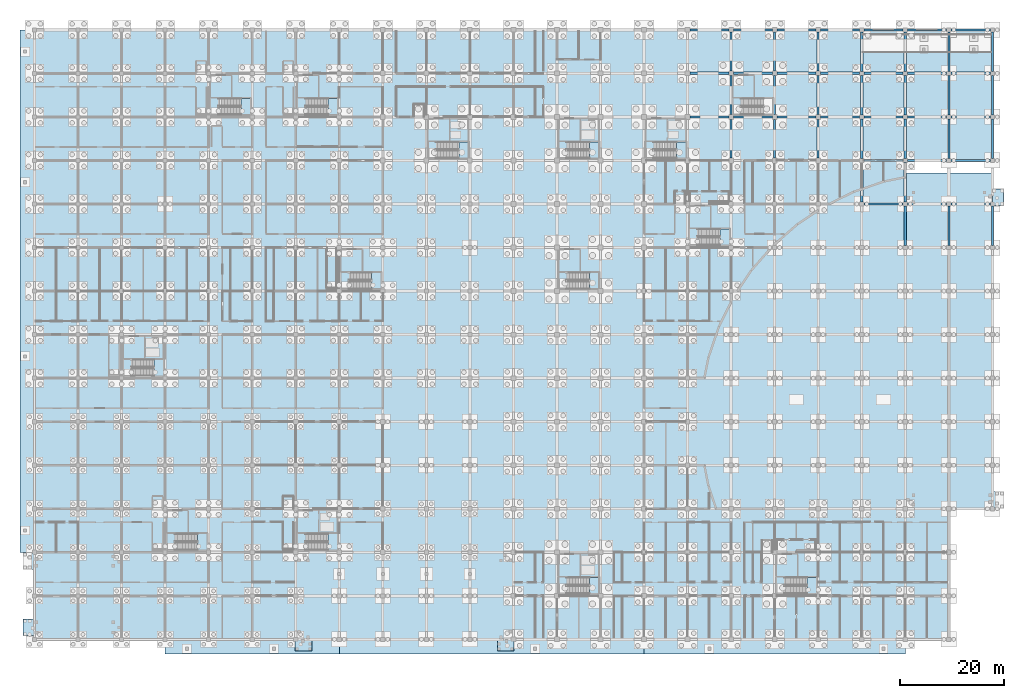
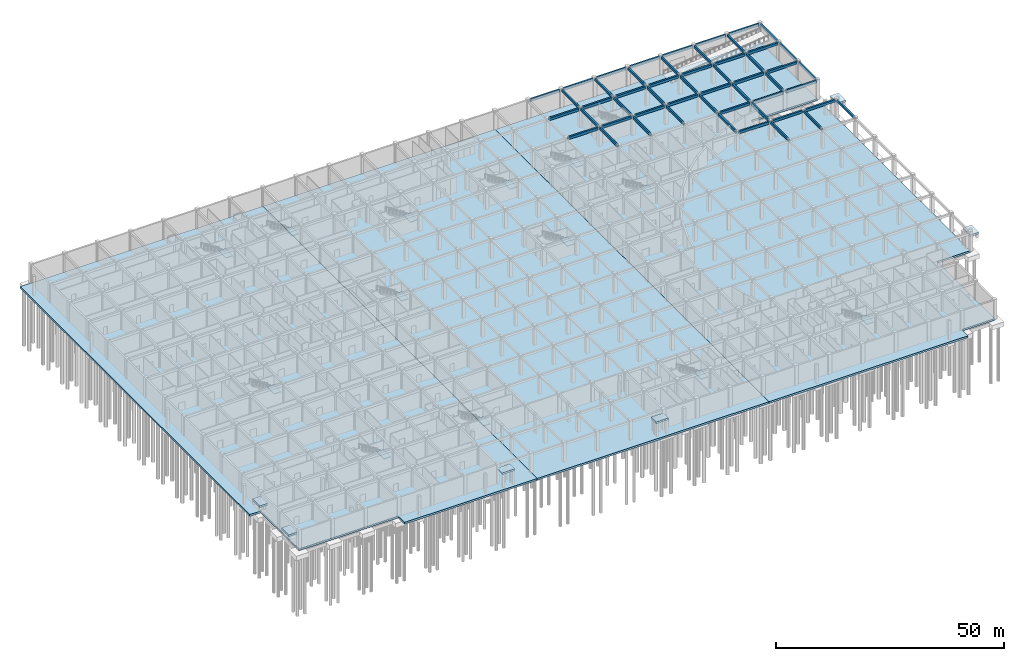
# One storey, part 25 of 65: 53 beams, 22 slabs, 13 elements without a shape of their own.
"""IFC4 building model written with IfcOpenShell, lengths in metres."""

import ifcopenshell
import ifcopenshell.guid

model = None  # the IFC model being written
_history = None  # IfcOwnerHistory: only IFC2X3 demands one
_inside = {}  # id of a spatial element -> (the spatial element, [elements in it])
_under = {}  # id of a project, library or spatial element -> (it, [spatial elements below it])
_declared = {}  # id of a project -> (the project, [libraries it declares])
_typed = {}  # id of a type object -> (the type object, [elements of that type])
_made_of = {}  # id of a material, layer set ... -> (it, [elements and type objects made of it])


def new_model(schema):
    """Start an empty IFC model of exactly this schema.

    Asked for "IFC4X3", IfcOpenShell would pick the latest addendum, in which some entities
    have other attributes; the version numbers below select the first issue.
    IFC2X3 requires an IfcOwnerHistory on every rooted entity: one is made here for all.
    """
    global model, _history
    if schema == "IFC4X3":
        model = ifcopenshell.file(schema_version=(4, 3, 0, 0))
    else:
        model = ifcopenshell.file(schema=schema)
    _inside.clear()
    _under.clear()
    _declared.clear()
    _typed.clear()
    _made_of.clear()
    _history = None
    if model.schema == "IFC2X3":
        org = make("IfcOrganization", Name="unknown")
        user = make(
            "IfcPersonAndOrganization",
            ThePerson=make("IfcPerson", FamilyName="unknown"),
            TheOrganization=org,
        )
        app = make(
            "IfcApplication",
            ApplicationDeveloper=org,
            Version="unknown",
            ApplicationFullName="unknown",
            ApplicationIdentifier="unknown",
        )
        _history = make(
            "IfcOwnerHistory",
            OwningUser=user,
            OwningApplication=app,
            ChangeAction="ADDED",
            CreationDate=0,
        )
    return model


def make(cls, **values):
    """One entity of the class cls with the attributes given. An attribute that is None is left unset."""
    return model.create_entity(
        cls, **{name: value for name, value in values.items() if value is not None}
    )


def rooted(cls, **values):
    """An entity with a GlobalId (a new one), such as an element, a storey or a relation."""
    return make(cls, GlobalId=ifcopenshell.guid.new(), OwnerHistory=_history, **values)


def si_unit(unit_type, name, prefix=None):
    """IfcSIUnit, for example si_unit("LENGTHUNIT", "METRE", prefix="MILLI")."""
    return make("IfcSIUnit", UnitType=unit_type, Prefix=prefix, Name=name)


def assignment(units):
    """IfcUnitAssignment: the units of a project."""
    return None if units is None else make("IfcUnitAssignment", Units=units)


def point(xyz):
    """IfcCartesianPoint."""
    return None if xyz is None else make("IfcCartesianPoint", Coordinates=xyz)


def direction(xyz):
    """IfcDirection."""
    return None if xyz is None else make("IfcDirection", DirectionRatios=xyz)


def frame(location, z_axis=None, x_axis=None):
    """IfcAxis2Placement3D, a coordinate frame: its origin and axes. An axis left out is left unset."""
    return make(
        "IfcAxis2Placement3D",
        Location=point(location),
        Axis=direction(z_axis),
        RefDirection=direction(x_axis),
    )


def frame_2d(location, x_axis=None):
    """IfcAxis2Placement2D, a coordinate frame in the plane: its origin and x axis."""
    return make(
        "IfcAxis2Placement2D", Location=point(location), RefDirection=direction(x_axis)
    )


def origin():
    """The frame at (0, 0, 0) with its axes left unset."""
    return frame((0.0, 0.0, 0.0))


def origin_2d():
    """The frame at (0, 0) in the plane with its x axis left unset."""
    return frame_2d((0.0, 0.0))


def place(relative_to, where):
    """IfcLocalPlacement: puts the frame where relative to a parent placement (None: the world)."""
    return make(
        "IfcLocalPlacement", PlacementRelTo=relative_to, RelativePlacement=where
    )


def context(
    kind, dimensions, precision=None, world=None, true_north=None, identifier=None
):
    """IfcGeometricRepresentationContext, for example the 3D "Model" context."""
    return make(
        "IfcGeometricRepresentationContext",
        ContextIdentifier=identifier,
        ContextType=kind,
        CoordinateSpaceDimension=dimensions,
        Precision=precision,
        WorldCoordinateSystem=world,
        TrueNorth=true_north,
    )


def subcontext(parent, identifier, kind, view, scale=None):
    """IfcGeometricRepresentationSubContext, for example "Body" below "Model"."""
    return make(
        "IfcGeometricRepresentationSubContext",
        ContextIdentifier=identifier,
        ContextType=kind,
        ParentContext=parent,
        TargetScale=scale,
        TargetView=view,
    )


def project(units=None, contexts=None):
    """IfcProject with its units and contexts."""
    return rooted(
        "IfcProject",
        Name="project",
        RepresentationContexts=contexts,
        UnitsInContext=assignment(units),
    )


def spatial(cls, under=None, at=None, **own):
    """A site, building, storey or space (cls), placed at a placement, below another one or the project."""
    s = rooted(cls, ObjectPlacement=at, **own)
    if under is not None:
        _under.setdefault(under.id(), (under, []))[1].append(s)
    return s


def polyline(points):
    """IfcPolyline through the points."""
    return make("IfcPolyline", Points=[point(p) for p in points])


def profile(cls, at=None, kind="AREA", **sizes):
    """A parametric profile (cls). Its sizes go by their IFC names, for example OverallWidth=200.0."""
    return make(cls, ProfileType=kind, Position=at, **sizes)


def rectangle(**sizes):
    """IfcRectangleProfileDef."""
    return profile("IfcRectangleProfileDef", **sizes)


def outline(outer, holes=None, kind="AREA"):
    """IfcArbitraryClosedProfileDef: a profile drawn as a closed curve; with holes, ...WithVoids."""
    if holes is None:
        return make("IfcArbitraryClosedProfileDef", ProfileType=kind, OuterCurve=outer)
    return make(
        "IfcArbitraryProfileDefWithVoids",
        ProfileType=kind,
        OuterCurve=outer,
        InnerCurves=holes,
    )


def extrude(swept, where, along, depth):
    """IfcExtrudedAreaSolid: the profile swept, set in the frame where, extruded along a direction by depth."""
    return make(
        "IfcExtrudedAreaSolid",
        SweptArea=swept,
        Position=where,
        ExtrudedDirection=direction(along),
        Depth=depth,
    )


def shape(context_of_items, identifier, shape_type, items):
    """IfcShapeRepresentation: the items that make up one representation, for example the "Body"."""
    return make(
        "IfcShapeRepresentation",
        ContextOfItems=context_of_items,
        RepresentationIdentifier=identifier,
        RepresentationType=shape_type,
        Items=items,
    )


def material(Name=None, Category=None):
    """IfcMaterial."""
    return make("IfcMaterial", Name=Name, Category=Category)


def layer(
    of_material, thickness, ventilated=None, Name=None, Category=None, Priority=None
):
    """IfcMaterialLayer: one layer of a wall or slab, of a material (None: an air gap)."""
    return make(
        "IfcMaterialLayer",
        Material=of_material,
        LayerThickness=thickness,
        IsVentilated=ventilated,
        Name=Name,
        Category=Category,
        Priority=Priority,
    )


def layer_set(layers, Name=None):
    """IfcMaterialLayerSet."""
    return make("IfcMaterialLayerSet", MaterialLayers=layers, LayerSetName=Name)


def material_profile(
    of_material, cross_section, Name=None, Category=None, Priority=None
):
    """IfcMaterialProfile: a cross section and its material."""
    return make(
        "IfcMaterialProfile",
        Name=Name,
        Material=of_material,
        Profile=cross_section,
        Priority=Priority,
        Category=Category,
    )


def profile_set(profiles, Name=None, composite=None):
    """IfcMaterialProfileSet."""
    return make(
        "IfcMaterialProfileSet",
        Name=Name,
        MaterialProfiles=profiles,
        CompositeProfile=composite,
    )


def made_of(thing, what):
    """Note that an element or type object is made of a material, layer set ...; save() writes the relation."""
    if what is not None:
        _made_of.setdefault(what.id(), (what, []))[1].append(thing)
    return thing


def type_object(cls, material=None, **own):
    """A type object (cls), such as IfcWallType, which elements share."""
    return made_of(rooted(cls, **own), material)


def element(
    cls,
    number,
    at=None,
    inside=None,
    cuts=None,
    type_object=None,
    material=None,
    context=None,
    identifier="Body",
    shape_type=None,
    held_by="IfcProductDefinitionShape",
    body=None,
    shapes=None,
    **own,
):
    """One element of the class cls, such as IfcWall. Its Tag is "e" and its number.

    at: its placement. inside: the storey or other place that contains it. cuts: it is an
    opening in that element (IfcRelVoidsElement). A single representation is given by context,
    identifier, shape_type and body (its items); several are given by shapes. held_by: the class
    of the entity that holds the representations. save() writes the other relations.
    """
    e = rooted(cls, Tag="e%d" % number, ObjectPlacement=at, **own)
    if body is not None:
        shapes = [shape(context, identifier, shape_type, body)]
    if shapes is not None:
        e.Representation = make(held_by, Representations=shapes)
    if inside is not None:
        _inside.setdefault(inside.id(), (inside, []))[1].append(e)
    if cuts is not None:
        rooted(
            "IfcRelVoidsElement", RelatingBuildingElement=cuts, RelatedOpeningElement=e
        )
    if type_object is not None:
        _typed.setdefault(type_object.id(), (type_object, []))[1].append(e)
    return made_of(e, material)


def aggregate(whole, parts):
    """IfcRelAggregates: a whole, such as a stair, and the parts it consists of."""
    return rooted("IfcRelAggregates", RelatingObject=whole, RelatedObjects=parts)


def save(model, path):
    """Write the relations noted so far, then the file.

    IfcRelAggregates (storeys below a building ...), IfcRelContainedInSpatialStructure (elements
    in a storey), IfcRelDefinesByType, IfcRelAssociatesMaterial and IfcRelDeclares: one each for
    every whole, place, type object, material and project.
    """
    for whole, parts in _under.values():
        aggregate(whole, parts)
    for where, things in _inside.values():
        rooted(
            "IfcRelContainedInSpatialStructure",
            RelatedElements=things,
            RelatingStructure=where,
        )
    for kind, things in _typed.values():
        rooted("IfcRelDefinesByType", RelatedObjects=things, RelatingType=kind)
    for what, things in _made_of.values():
        rooted("IfcRelAssociatesMaterial", RelatedObjects=things, RelatingMaterial=what)
    for by, libraries in _declared.values():
        rooted("IfcRelDeclares", RelatingContext=by, RelatedDefinitions=libraries)
    model.write(path)


model = new_model("IFC4")

# Units and contexts
model_context = context("Model", 3, precision=1e-05, world=origin(), true_north=direction((0.0, 1.0)))
body_context = subcontext(model_context, "Body", "Model", "MODEL_VIEW")
ifc_project = project(units=[si_unit("LENGTHUNIT", "METRE"), si_unit("AREAUNIT", "SQUARE_METRE"), si_unit("VOLUMEUNIT", "CUBIC_METRE"), si_unit("PLANEANGLEUNIT", "RADIAN"), si_unit("MASSUNIT", "GRAM", prefix="KILO")], contexts=[model_context])

# Site, building, storey
site_placement = place(None, origin())
site = spatial("IfcSite", under=ifc_project, at=site_placement, CompositionType="ELEMENT")
building_placement = place(site_placement, origin())
building = spatial("IfcBuilding", under=site, at=building_placement, Name="Bramfleet General Hospital", CompositionType="ELEMENT")
storey_placement = place(building_placement, frame((0.0, 0.0, -5.39990234375)))
storey = spatial("IfcBuildingStorey", under=building, at=storey_placement, Name="B1", CompositionType="ELEMENT", Elevation=-5.39990234375)

# Beams
ifc_material = material(Name="Concrete C35/45", Category="concrete")
ifc_material_profile_1 = material_profile(ifc_material, rectangle(XDim=0.39990234375, YDim=0.60009765625, at=origin_2d()), Name="RC BM 600x400")
ifc_profile_set_1 = profile_set([ifc_material_profile_1], Name="Concrete C35/45")
beam_type_1 = type_object("IfcBeamType", Name="BM-RC600", PredefinedType="BEAM", material=ifc_profile_set_1)
for number, where, z_axis, x_axis, name in (
    (1, (134.39990234375, 92.85009765625, 4.77978515625), (0.0, 1.0, 0.0), (-1.0, 0.0, 0.0), "B1 Grid Beam Y 16-11"),
    (2, (134.39990234375, 101.25, 4.77978515625), (0.0, 1.0, 0.0), (-1.0, 0.0, 0.0), "B1 Grid Beam Y 16-12"),
    (3, (134.39990234375, 109.64990234375, 4.77978515625), (0.0, 1.0, 0.0), (-1.0, 0.0, 0.0), "B1 Grid Beam Y 16-13"),
    (4, (142.800048828125, 92.85009765625, 4.77978515625), (0.0, 1.0, 0.0), (-1.0, 0.0, 0.0), "B1 Grid Beam Y 17-11"),
    (5, (142.800048828125, 101.25, 4.77978515625), (0.0, 1.0, 0.0), (-1.0, 0.0, 0.0), "B1 Grid Beam Y 17-12"),
    (6, (142.800048828125, 109.64990234375, 4.77978515625), (0.0, 1.0, 0.0), (-1.0, 0.0, 0.0), "B1 Grid Beam Y 17-13"),
    (7, (151.199951171875, 92.85009765625, 4.77978515625), (0.0, 1.0, 0.0), (-1.0, 0.0, 0.0), "B1 Grid Beam Y 18-11"),
    (8, (151.199951171875, 101.25, 4.77978515625), (0.0, 1.0, 0.0), (-1.0, 0.0, 0.0), "B1 Grid Beam Y 18-12"),
    (9, (151.199951171875, 109.64990234375, 4.77978515625), (0.0, 1.0, 0.0), (-1.0, 0.0, 0.0), "B1 Grid Beam Y 18-13"),
):
    element("IfcBeam", number, at=place(storey_placement, frame(where, z_axis=z_axis, x_axis=x_axis)), inside=storey, type_object=beam_type_1, Name=name, PredefinedType="BEAM", context=body_context, shape_type="SweptSolid", body=[
        extrude(rectangle(XDim=0.39990234375, YDim=0.60009765625, at=origin_2d()), origin(), (0.0, 0.0, 1.0), 7.5),
    ])
beam_1_placement = place(storey_placement, frame((159.60009765625, 84.39990234375, 4.77978515625), z_axis=(0.0, 1.0, 0.0), x_axis=(-1.0, 0.0, 0.0)))
element("IfcBeam", 10, at=beam_1_placement, inside=storey, type_object=beam_type_1, Name="B1 Grid Beam Y 19-10", PredefinedType="BEAM", context=body_context, shape_type="SweptSolid", body=[
    extrude(rectangle(XDim=0.39990234375, YDim=0.60009765625, at=origin_2d()), origin(), (0.0, 0.0, 1.0), 7.60009765625),
])
beam_2_placement = place(storey_placement, frame((159.60009765625, 92.800048828125, 4.77978515625), z_axis=(0.0, 1.0, 0.0), x_axis=(-1.0, 0.0, 0.0)))
element("IfcBeam", 11, at=beam_2_placement, inside=storey, type_object=beam_type_1, Name="B1 Grid Beam Y 19-11", PredefinedType="BEAM", context=body_context, shape_type="SweptSolid", body=[
    extrude(rectangle(XDim=0.39990234375, YDim=0.60009765625, at=origin_2d()), origin(), (0.0, 0.0, 1.0), 7.599853515625),
])
beam_3_placement = place(storey_placement, frame((159.60009765625, 101.199951171875, 4.77978515625), z_axis=(0.0, 1.0, 0.0), x_axis=(-1.0, 0.0, 0.0)))
element("IfcBeam", 12, at=beam_3_placement, inside=storey, type_object=beam_type_1, Name="B1 Grid Beam Y 19-12", PredefinedType="BEAM", context=body_context, shape_type="SweptSolid", body=[
    extrude(rectangle(XDim=0.39990234375, YDim=0.60009765625, at=origin_2d()), origin(), (0.0, 0.0, 1.0), 7.60009765625),
])
beam_4_placement = place(storey_placement, frame((159.60009765625, 109.60009765625, 4.77978515625), z_axis=(0.0, 1.0, 0.0), x_axis=(-1.0, 0.0, 0.0)))
element("IfcBeam", 13, at=beam_4_placement, inside=storey, type_object=beam_type_1, Name="B1 Grid Beam Y 19-13", PredefinedType="BEAM", context=body_context, shape_type="SweptSolid", body=[
    extrude(rectangle(XDim=0.39990234375, YDim=0.60009765625, at=origin_2d()), origin(), (0.0, 0.0, 1.0), 7.599853515625),
])
beam_5_placement = place(storey_placement, frame((168.0, 76.0, 4.77978515625), z_axis=(0.0, 1.0, 0.0), x_axis=(-1.0, 0.0, 0.0)))
element("IfcBeam", 14, at=beam_5_placement, inside=storey, type_object=beam_type_1, Name="B1 Grid Beam Y 20-09", PredefinedType="BEAM", context=body_context, shape_type="SweptSolid", body=[
    extrude(rectangle(XDim=0.39990234375, YDim=0.60009765625, at=origin_2d()), origin(), (0.0, 0.0, 1.0), 7.60009765625),
])
beam_6_placement = place(storey_placement, frame((168.0, 92.800048828125, 4.77978515625), z_axis=(0.0, 1.0, 0.0), x_axis=(-1.0, 0.0, 0.0)))
element("IfcBeam", 15, at=beam_6_placement, inside=storey, type_object=beam_type_1, Name="B1 Grid Beam Y 20-11", PredefinedType="BEAM", context=body_context, shape_type="SweptSolid", body=[
    extrude(rectangle(XDim=0.39990234375, YDim=0.60009765625, at=origin_2d()), origin(), (0.0, 0.0, 1.0), 7.599853515625),
])
beam_7_placement = place(storey_placement, frame((168.0, 101.199951171875, 4.77978515625), z_axis=(0.0, 1.0, 0.0), x_axis=(-1.0, 0.0, 0.0)))
element("IfcBeam", 16, at=beam_7_placement, inside=storey, type_object=beam_type_1, Name="B1 Grid Beam Y 20-12", PredefinedType="BEAM", context=body_context, shape_type="SweptSolid", body=[
    extrude(rectangle(XDim=0.39990234375, YDim=0.60009765625, at=origin_2d()), origin(), (0.0, 0.0, 1.0), 7.60009765625),
])
beam_8_placement = place(storey_placement, frame((168.0, 109.60009765625, 4.77978515625), z_axis=(0.0, 1.0, 0.0), x_axis=(-1.0, 0.0, 0.0)))
element("IfcBeam", 17, at=beam_8_placement, inside=storey, type_object=beam_type_1, Name="B1 Grid Beam Y 20-13", PredefinedType="BEAM", context=body_context, shape_type="SweptSolid", body=[
    extrude(rectangle(XDim=0.39990234375, YDim=0.60009765625, at=origin_2d()), origin(), (0.0, 0.0, 1.0), 7.599853515625),
])
beam_9_placement = place(storey_placement, frame((176.39990234375, 76.0, 4.77978515625), z_axis=(0.0, 1.0, 0.0), x_axis=(-1.0, 0.0, 0.0)))
element("IfcBeam", 18, at=beam_9_placement, inside=storey, type_object=beam_type_1, Name="B1 Grid Beam Y 21-09", PredefinedType="BEAM", context=body_context, shape_type="SweptSolid", body=[
    extrude(rectangle(XDim=0.39990234375, YDim=0.60009765625, at=origin_2d()), origin(), (0.0, 0.0, 1.0), 7.60009765625),
])
beam_10_placement = place(storey_placement, frame((176.39990234375, 92.800048828125, 4.77978515625), z_axis=(0.0, 1.0, 0.0), x_axis=(-1.0, 0.0, 0.0)))
element("IfcBeam", 19, at=beam_10_placement, inside=storey, type_object=beam_type_1, Name="B1 Grid Beam Y 21-11", PredefinedType="BEAM", context=body_context, shape_type="SweptSolid", body=[
    extrude(rectangle(XDim=0.39990234375, YDim=0.60009765625, at=origin_2d()), origin(), (0.0, 0.0, 1.0), 7.599853515625),
])
beam_11_placement = place(storey_placement, frame((176.39990234375, 101.199951171875, 4.77978515625), z_axis=(0.0, 1.0, 0.0), x_axis=(-1.0, 0.0, 0.0)))
element("IfcBeam", 20, at=beam_11_placement, inside=storey, type_object=beam_type_1, Name="B1 Grid Beam Y 21-12", PredefinedType="BEAM", context=body_context, shape_type="SweptSolid", body=[
    extrude(rectangle(XDim=0.39990234375, YDim=0.60009765625, at=origin_2d()), origin(), (0.0, 0.0, 1.0), 7.60009765625),
])
beam_12_placement = place(storey_placement, frame((176.39990234375, 109.60009765625, 4.77978515625), z_axis=(0.0, 1.0, 0.0), x_axis=(-1.0, 0.0, 0.0)))
element("IfcBeam", 21, at=beam_12_placement, inside=storey, type_object=beam_type_1, Name="B1 Grid Beam Y 21-13", PredefinedType="BEAM", context=body_context, shape_type="SweptSolid", body=[
    extrude(rectangle(XDim=0.39990234375, YDim=0.60009765625, at=origin_2d()), origin(), (0.0, 0.0, 1.0), 7.599853515625),
])
beam_13_placement = place(storey_placement, frame((184.800048828125, 76.0, 4.77978515625), z_axis=(0.0, 1.0, 0.0), x_axis=(-1.0, 0.0, 0.0)))
element("IfcBeam", 22, at=beam_13_placement, inside=storey, type_object=beam_type_1, Name="B1 Grid Beam Y 22-09", PredefinedType="BEAM", context=body_context, shape_type="SweptSolid", body=[
    extrude(rectangle(XDim=0.39990234375, YDim=0.60009765625, at=origin_2d()), origin(), (0.0, 0.0, 1.0), 7.60009765625),
])
ifc_material_profile_2 = material_profile(ifc_material, rectangle(XDim=0.449951171875, YDim=0.64990234375, at=origin_2d()), Name="RC BM 650x450")
ifc_profile_set_2 = profile_set([ifc_material_profile_2], Name="Concrete C35/45")
beam_type_2 = type_object("IfcBeamType", Name="BM-RC650", PredefinedType="BEAM", material=ifc_profile_set_2)
for number, where, z_axis, x_axis, name in (
    (23, (126.449951171875, 100.800048828125, 4.7548828125), (1.0, 0.0, 0.0), (0.0, 1.0, 0.0), "B1 Grid Beam X 15-12"),
    (24, (126.449951171875, 109.199951171875, 4.7548828125), (1.0, 0.0, 0.0), (0.0, 1.0, 0.0), "B1 Grid Beam X 15-13"),
    (25, (134.85009765625, 100.800048828125, 4.7548828125), (1.0, 0.0, 0.0), (0.0, 1.0, 0.0), "B1 Grid Beam X 16-12"),
    (26, (134.85009765625, 109.199951171875, 4.7548828125), (1.0, 0.0, 0.0), (0.0, 1.0, 0.0), "B1 Grid Beam X 16-13"),
    (27, (143.25, 100.800048828125, 4.7548828125), (1.0, 0.0, 0.0), (0.0, 1.0, 0.0), "B1 Grid Beam X 17-12"),
    (28, (143.25, 109.199951171875, 4.7548828125), (1.0, 0.0, 0.0), (0.0, 1.0, 0.0), "B1 Grid Beam X 17-13"),
):
    element("IfcBeam", number, at=place(storey_placement, frame(where, z_axis=z_axis, x_axis=x_axis)), inside=storey, type_object=beam_type_2, Name=name, PredefinedType="BEAM", context=body_context, shape_type="SweptSolid", body=[
        extrude(rectangle(XDim=0.449951171875, YDim=0.64990234375, at=origin_2d()), origin(), (0.0, 0.0, 1.0), 7.5),
    ])
for number, where, z_axis, x_axis, name in (
    (29, (151.64990234375, 100.800048828125, 4.7548828125), (1.0, 0.0, 0.0), (0.0, 1.0, 0.0), "B1 Grid Beam X 18-12"),
    (30, (151.64990234375, 109.199951171875, 4.7548828125), (1.0, 0.0, 0.0), (0.0, 1.0, 0.0), "B1 Grid Beam X 18-13"),
):
    element("IfcBeam", number, at=place(storey_placement, frame(where, z_axis=z_axis, x_axis=x_axis)), inside=storey, type_object=beam_type_2, Name=name, PredefinedType="BEAM", context=body_context, shape_type="SweptSolid", body=[
        extrude(rectangle(XDim=0.449951171875, YDim=0.64990234375, at=origin_2d()), origin(), (0.0, 0.0, 1.0), 7.550048828125),
    ])
for number, where, z_axis, x_axis, name in (
    (31, (160.0, 92.39990234375, 4.7548828125), (1.0, 0.0, 0.0), (0.0, 1.0, 0.0), "B1 Grid Beam X 19-11"),
    (32, (160.0, 100.800048828125, 4.7548828125), (1.0, 0.0, 0.0), (0.0, 1.0, 0.0), "B1 Grid Beam X 19-12"),
    (33, (160.0, 109.199951171875, 4.7548828125), (1.0, 0.0, 0.0), (0.0, 1.0, 0.0), "B1 Grid Beam X 19-13"),
    (34, (168.39990234375, 84.0, 4.7548828125), (1.0, 0.0, 0.0), (0.0, 1.0, 0.0), "B1 Grid Beam X 20-10"),
    (35, (168.39990234375, 100.800048828125, 4.7548828125), (1.0, 0.0, 0.0), (0.0, 1.0, 0.0), "B1 Grid Beam X 20-12"),
    (36, (168.39990234375, 109.199951171875, 4.7548828125), (1.0, 0.0, 0.0), (0.0, 1.0, 0.0), "B1 Grid Beam X 20-13"),
):
    element("IfcBeam", number, at=place(storey_placement, frame(where, z_axis=z_axis, x_axis=x_axis)), inside=storey, type_object=beam_type_2, Name=name, PredefinedType="BEAM", context=body_context, shape_type="SweptSolid", body=[
        extrude(rectangle(XDim=0.449951171875, YDim=0.64990234375, at=origin_2d()), origin(), (0.0, 0.0, 1.0), 7.60009765625),
    ])
for number, where, z_axis, x_axis, name in (
    (37, (176.800048828125, 84.0, 4.7548828125), (1.0, 0.0, 0.0), (0.0, 1.0, 0.0), "B1 Grid Beam X 21-10"),
    (38, (176.800048828125, 100.800048828125, 4.7548828125), (1.0, 0.0, 0.0), (0.0, 1.0, 0.0), "B1 Grid Beam X 21-12"),
    (39, (176.800048828125, 109.199951171875, 4.7548828125), (1.0, 0.0, 0.0), (0.0, 1.0, 0.0), "B1 Grid Beam X 21-13"),
):
    element("IfcBeam", number, at=place(storey_placement, frame(where, z_axis=z_axis, x_axis=x_axis)), inside=storey, type_object=beam_type_2, Name=name, PredefinedType="BEAM", context=body_context, shape_type="SweptSolid", body=[
        extrude(rectangle(XDim=0.449951171875, YDim=0.64990234375, at=origin_2d()), origin(), (0.0, 0.0, 1.0), 7.599853515625),
    ])
ifc_material_profile_3 = material_profile(ifc_material, rectangle(XDim=0.39990234375, YDim=0.699951171875, at=origin_2d()), Name="RC SP 700x400")
ifc_profile_set_3 = profile_set([ifc_material_profile_3], Name="Concrete C35/45")
beam_type_3 = type_object("IfcBeamType", Name="BM-SP700", PredefinedType="SPANDREL", material=ifc_profile_set_3)
for number, where, z_axis, x_axis, name in (
    (40, (126.449951171875, 117.60009765625, 4.72998046875), (1.0, 0.0, 0.0), (0.0, 1.0, 0.0), "B1 Grid Beam X 15-14"),
    (41, (134.85009765625, 117.60009765625, 4.72998046875), (1.0, 0.0, 0.0), (0.0, 1.0, 0.0), "B1 Grid Beam X 16-14"),
    (42, (143.25, 117.60009765625, 4.72998046875), (1.0, 0.0, 0.0), (0.0, 1.0, 0.0), "B1 Grid Beam X 17-14"),
):
    element("IfcBeam", number, at=place(storey_placement, frame(where, z_axis=z_axis, x_axis=x_axis)), inside=storey, type_object=beam_type_3, Name=name, PredefinedType="SPANDREL", context=body_context, shape_type="SweptSolid", body=[
        extrude(rectangle(XDim=0.39990234375, YDim=0.699951171875, at=origin_2d()), origin(), (0.0, 0.0, 1.0), 7.5),
    ])
beam_14_placement = place(storey_placement, frame((151.64990234375, 117.60009765625, 4.72998046875), z_axis=(1.0, 0.0, 0.0), x_axis=(0.0, 1.0, 0.0)))
element("IfcBeam", 43, at=beam_14_placement, inside=storey, type_object=beam_type_3, Name="B1 Grid Beam X 18-14", PredefinedType="SPANDREL", context=body_context, shape_type="SweptSolid", body=[
    extrude(rectangle(XDim=0.39990234375, YDim=0.699951171875, at=origin_2d()), origin(), (0.0, 0.0, 1.0), 7.550048828125),
])
for number, where, z_axis, x_axis, name in (
    (44, (160.0, 84.0, 4.72998046875), (1.0, 0.0, 0.0), (0.0, 1.0, 0.0), "B1 Grid Beam X 19-10"),
    (45, (160.0, 117.60009765625, 4.72998046875), (1.0, 0.0, 0.0), (0.0, 1.0, 0.0), "B1 Grid Beam X 19-14"),
    (46, (168.39990234375, 92.39990234375, 4.72998046875), (1.0, 0.0, 0.0), (0.0, 1.0, 0.0), "B1 Grid Beam X 20-11"),
    (47, (168.39990234375, 117.60009765625, 4.72998046875), (1.0, 0.0, 0.0), (0.0, 1.0, 0.0), "B1 Grid Beam X 20-14"),
):
    element("IfcBeam", number, at=place(storey_placement, frame(where, z_axis=z_axis, x_axis=x_axis)), inside=storey, type_object=beam_type_3, Name=name, PredefinedType="SPANDREL", context=body_context, shape_type="SweptSolid", body=[
        extrude(rectangle(XDim=0.39990234375, YDim=0.699951171875, at=origin_2d()), origin(), (0.0, 0.0, 1.0), 7.60009765625),
    ])
for number, where, z_axis, x_axis, name in (
    (48, (176.800048828125, 92.39990234375, 4.72998046875), (1.0, 0.0, 0.0), (0.0, 1.0, 0.0), "B1 Grid Beam X 21-11"),
    (49, (176.800048828125, 117.60009765625, 4.72998046875), (1.0, 0.0, 0.0), (0.0, 1.0, 0.0), "B1 Grid Beam X 21-14"),
):
    element("IfcBeam", number, at=place(storey_placement, frame(where, z_axis=z_axis, x_axis=x_axis)), inside=storey, type_object=beam_type_3, Name=name, PredefinedType="SPANDREL", context=body_context, shape_type="SweptSolid", body=[
        extrude(rectangle(XDim=0.39990234375, YDim=0.699951171875, at=origin_2d()), origin(), (0.0, 0.0, 1.0), 7.599853515625),
    ])
beam_15_placement = place(storey_placement, frame((168.0, 84.39990234375, 4.72998046875), z_axis=(0.0, 1.0, 0.0), x_axis=(-1.0, 0.0, 0.0)))
element("IfcBeam", 50, at=beam_15_placement, inside=storey, type_object=beam_type_3, Name="B1 Grid Beam Y 20-10", PredefinedType="SPANDREL", context=body_context, shape_type="SweptSolid", body=[
    extrude(rectangle(XDim=0.39990234375, YDim=0.699951171875, at=origin_2d()), origin(), (0.0, 0.0, 1.0), 7.60009765625),
])
beam_16_placement = place(storey_placement, frame((184.800048828125, 92.800048828125, 4.72998046875), z_axis=(0.0, 1.0, 0.0), x_axis=(-1.0, 0.0, 0.0)))
element("IfcBeam", 51, at=beam_16_placement, inside=storey, type_object=beam_type_3, Name="B1 Grid Beam Y 22-11", PredefinedType="SPANDREL", context=body_context, shape_type="SweptSolid", body=[
    extrude(rectangle(XDim=0.39990234375, YDim=0.699951171875, at=origin_2d()), origin(), (0.0, 0.0, 1.0), 7.599853515625),
])
beam_17_placement = place(storey_placement, frame((184.800048828125, 101.199951171875, 4.72998046875), z_axis=(0.0, 1.0, 0.0), x_axis=(-1.0, 0.0, 0.0)))
element("IfcBeam", 52, at=beam_17_placement, inside=storey, type_object=beam_type_3, Name="B1 Grid Beam Y 22-12", PredefinedType="SPANDREL", context=body_context, shape_type="SweptSolid", body=[
    extrude(rectangle(XDim=0.39990234375, YDim=0.699951171875, at=origin_2d()), origin(), (0.0, 0.0, 1.0), 7.60009765625),
])
beam_18_placement = place(storey_placement, frame((184.800048828125, 109.60009765625, 4.72998046875), z_axis=(0.0, 1.0, 0.0), x_axis=(-1.0, 0.0, 0.0)))
element("IfcBeam", 53, at=beam_18_placement, inside=storey, type_object=beam_type_3, Name="B1 Grid Beam Y 22-13", PredefinedType="SPANDREL", context=body_context, shape_type="SweptSolid", body=[
    extrude(rectangle(XDim=0.39990234375, YDim=0.699951171875, at=origin_2d()), origin(), (0.0, 0.0, 1.0), 7.599853515625),
])

# Slabs
ifc_layer_1 = layer(ifc_material, 0.5, Name="SL-BASE-500")
ifc_layer_set_1 = layer_set([ifc_layer_1], Name="Concrete C35/45")
slab_type_1 = type_object("IfcSlabType", Name="SL-BASE-500", PredefinedType="BASESLAB", material=ifc_layer_set_1)
slab_1_placement = place(storey_placement, frame((0.0, 0.0, -0.5)))
element("IfcSlab", 54, at=slab_1_placement, inside=storey, type_object=slab_type_1, Name="B1 Waterproof Foundation Base Slab (WEST)", PredefinedType="BASESLAB", context=body_context, shape_type="SweptSolid", body=[
    extrude(outline(polyline([(25.199951171875, -2.800048828125), (25.199951171875, 0.0), (16.800048828125, 0.0), (8.39990234375, 0.0), (0.0, 0.0), (0.0, 8.39990234375), (0.0, 16.800048828125), (-2.800048828125, 16.800048828125), (-2.800048828125, 117.60009765625), (0.0, 117.60009765625), (8.39990234375, 117.60009765625), (16.800048828125, 117.60009765625), (25.199951171875, 117.60009765625), (33.60009765625, 117.60009765625), (42.0, 117.60009765625), (50.39990234375, 117.60009765625), (58.800048828125, 117.60009765625), (58.800048828125, -2.800048828125), (25.199951171875, -2.800048828125)])), origin(), (0.0, 0.0, 1.0), 0.5),
])
slab_2_placement = place(storey_placement, frame((0.0, 0.0, -0.5)))
element("IfcSlab", 55, at=slab_2_placement, inside=storey, type_object=slab_type_1, Name="B1 Waterproof Foundation Base Slab (CENTRE)", PredefinedType="BASESLAB", context=body_context, shape_type="SweptSolid", body=[
    extrude(outline(polyline([(58.800048828125, -2.800048828125), (58.800048828125, 117.60009765625), (67.199951171875, 117.60009765625), (75.60009765625, 117.60009765625), (84.0, 117.60009765625), (92.39990234375, 117.60009765625), (100.800048828125, 117.60009765625), (109.199951171875, 117.60009765625), (117.60009765625, 117.60009765625), (117.60009765625, -2.800048828125), (58.800048828125, -2.800048828125)])), origin(), (0.0, 0.0, 1.0), 0.5),
])
slab_3_placement = place(storey_placement, frame((0.0, 0.0, -0.5)))
element("IfcSlab", 56, at=slab_3_placement, inside=storey, type_object=slab_type_1, Name="B1 Waterproof Foundation Base Slab (EAST)", PredefinedType="BASESLAB", context=body_context, shape_type="SweptSolid", body=[
    extrude(outline(polyline([(117.60009765625, -2.800048828125), (117.60009765625, 117.60009765625), (126.0, 117.60009765625), (134.39990234375, 117.60009765625), (142.800048828125, 117.60009765625), (151.199951171875, 117.60009765625), (159.60009765625, 117.60009765625), (168.0, 117.60009765625), (176.39990234375, 117.60009765625), (184.800048828125, 117.60009765625), (184.800048828125, 109.199951171875), (184.800048828125, 100.800048828125), (184.800048828125, 92.39990234375), (176.39990234375, 92.39990234375), (168.0, 92.39990234375), (168.0, 90.0), (184.800048828125, 90.0), (184.800048828125, 25.199951171875), (176.39990234375, 25.199951171875), (176.39990234375, 16.800048828125), (176.39990234375, 8.39990234375), (176.39990234375, 0.0), (168.0, 0.0), (168.0, -2.800048828125), (117.60009765625, -2.800048828125)])), origin(), (0.0, 0.0, 1.0), 0.5),
])
slab_4_placement = place(storey_placement, frame((0.0, 0.0, 3.599853515625)))
element("IfcSlab", 57, at=slab_4_placement, inside=storey, type_object=slab_type_1, Name="Street Threshold Step Slab 1", PredefinedType="BASESLAB", context=body_context, shape_type="SweptSolid", body=[
    extrude(outline(polyline([(50.300048828125, -2.199951171875), (53.5, -2.199951171875), (53.5, -0.02001953125), (50.300048828125, -0.02001953125), (50.300048828125, -2.199951171875)])), origin(), (0.0, 0.0, 1.0), 0.5),
])
slab_5_placement = place(storey_placement, frame((0.0, 0.0, 3.599853515625)))
element("IfcSlab", 58, at=slab_5_placement, inside=storey, type_object=slab_type_1, Name="Street Threshold Step Slab 2", PredefinedType="BASESLAB", context=body_context, shape_type="SweptSolid", body=[
    extrude(outline(polyline([(89.300048828125, -2.199951171875), (92.5, -2.199951171875), (92.5, -0.02001953125), (89.300048828125, -0.02001953125), (89.300048828125, -2.199951171875)])), origin(), (0.0, 0.0, 1.0), 0.5),
])
slab_6_placement = place(storey_placement, frame((0.0, 0.0, 3.599853515625)))
element("IfcSlab", 59, at=slab_6_placement, inside=storey, type_object=slab_type_1, Name="Street Threshold Step Slab 3", PredefinedType="BASESLAB", context=body_context, shape_type="SweptSolid", body=[
    extrude(outline(polyline([(-2.199951171875, 0.699951171875), (-0.02001953125, 0.699951171875), (-0.02001953125, 3.89990234375), (-2.199951171875, 3.89990234375), (-2.199951171875, 0.699951171875)])), origin(), (0.0, 0.0, 1.0), 0.5),
])
slab_7_placement = place(storey_placement, frame((0.0, 0.0, 3.599853515625)))
element("IfcSlab", 60, at=slab_7_placement, inside=storey, type_object=slab_type_1, Name="Street Threshold Step Slab 4", PredefinedType="BASESLAB", context=body_context, shape_type="SweptSolid", body=[
    extrude(outline(polyline([(-2.199951171875, 13.5), (-0.02001953125, 13.5), (-0.02001953125, 16.699951171875), (-2.199951171875, 16.699951171875), (-2.199951171875, 13.5)])), origin(), (0.0, 0.0, 1.0), 0.5),
])
slab_8_placement = place(storey_placement, frame((0.0, 0.0, 3.599853515625)))
element("IfcSlab", 61, at=slab_8_placement, inside=storey, type_object=slab_type_1, Name="Street Threshold Step Slab 5", PredefinedType="BASESLAB", context=body_context, shape_type="SweptSolid", body=[
    extrude(outline(polyline([(184.820068359375, 25.300048828125), (187.0, 25.300048828125), (187.0, 28.5), (184.820068359375, 28.5), (184.820068359375, 25.300048828125)])), origin(), (0.0, 0.0, 1.0), 0.5),
])
slab_9_placement = place(storey_placement, frame((0.0, 0.0, 3.599853515625)))
element("IfcSlab", 62, at=slab_9_placement, inside=storey, type_object=slab_type_1, Name="Street Threshold Step Slab 6", PredefinedType="BASESLAB", context=body_context, shape_type="SweptSolid", body=[
    extrude(outline(polyline([(184.820068359375, 83.699951171875), (187.0, 83.699951171875), (187.0, 86.89990234375), (184.820068359375, 86.89990234375), (184.820068359375, 83.699951171875)])), origin(), (0.0, 0.0, 1.0), 0.5),
])

# Stair, slab
stair_type = type_object("IfcStairType", Name="STR-T1", PredefinedType="HALF_TURN_STAIR", material=ifc_material)
stair_1_placement = place(storey_placement, origin())
stair_1 = element("IfcStair", 63, at=stair_1_placement, inside=storey, type_object=stair_type, Name="B1 Core C1 (Main Hall & Forecourt) Protected Escape Stair", PredefinedType="HALF_TURN_STAIR")
ifc_layer_2 = layer(ifc_material, 0.199951171875, Name="SL-LND-200")
ifc_layer_set_2 = layer_set([ifc_layer_2], Name="Concrete C35/45")
slab_type_2 = type_object("IfcSlabType", Name="SL-LND-200", PredefinedType="LANDING", material=ifc_layer_set_2)
slab_10_placement = place(storey_placement, frame((0.0, 0.0, 2.5)))
slab_10 = element("IfcSlab", 64, at=slab_10_placement, type_object=slab_type_2, Name="ST-C1 landing 1", PredefinedType="LANDING", context=body_context, shape_type="SweptSolid", body=[
    extrude(outline(polyline([(56.6650390625, 17.219970703125), (58.4599609375, 17.219970703125), (58.4599609375, 20.3798828125), (56.6650390625, 20.3798828125), (56.6650390625, 17.219970703125)])), origin(), (0.0, 0.0, 1.0), 0.199951171875),
])
aggregate(stair_1, [slab_10])

stair_2_placement = place(storey_placement, origin())
stair_2 = element("IfcStair", 65, at=stair_2_placement, inside=storey, type_object=stair_type, Name="B1 Core C2 (Emergency & Surgical) Protected Escape Stair", PredefinedType="HALF_TURN_STAIR")
slab_11_placement = place(storey_placement, frame((0.0, 0.0, 2.5)))
slab_11 = element("IfcSlab", 66, at=slab_11_placement, type_object=slab_type_2, Name="ST-C2 landing 1", PredefinedType="LANDING", context=body_context, shape_type="SweptSolid", body=[
    extrude(outline(polyline([(23.06494140625, 50.820068359375), (24.860107421875, 50.820068359375), (24.860107421875, 53.97998046875), (23.06494140625, 53.97998046875), (23.06494140625, 50.820068359375)])), origin(), (0.0, 0.0, 1.0), 0.199951171875),
])
aggregate(stair_2, [slab_11])

stair_3_placement = place(storey_placement, origin())
stair_3 = element("IfcStair", 67, at=stair_3_placement, inside=storey, type_object=stair_type, Name="B1 Core C3 (South Ward Wing) Protected Escape Stair", PredefinedType="HALF_TURN_STAIR")
slab_12_placement = place(storey_placement, frame((0.0, 0.0, 2.5)))
slab_12 = element("IfcSlab", 68, at=slab_12_placement, type_object=slab_type_2, Name="ST-C3 landing 1", PredefinedType="LANDING", context=body_context, shape_type="SweptSolid", body=[
    extrude(outline(polyline([(107.06494140625, 8.820068359375), (108.860107421875, 8.820068359375), (108.860107421875, 11.97998046875), (107.06494140625, 11.97998046875), (107.06494140625, 8.820068359375)])), origin(), (0.0, 0.0, 1.0), 0.199951171875),
])
aggregate(stair_3, [slab_12])

stair_4_placement = place(storey_placement, origin())
stair_4 = element("IfcStair", 69, at=stair_4_placement, inside=storey, type_object=stair_type, Name="B1 Core C4 (Central Spine & Helipad Trauma) Protected Escape Stair", PredefinedType="HALF_TURN_STAIR")
slab_13_placement = place(storey_placement, frame((0.0, 0.0, 2.5)))
slab_13 = element("IfcSlab", 70, at=slab_13_placement, type_object=slab_type_2, Name="ST-C4 landing 1", PredefinedType="LANDING", context=body_context, shape_type="SweptSolid", body=[
    extrude(outline(polyline([(107.06494140625, 92.820068359375), (108.860107421875, 92.820068359375), (108.860107421875, 95.97998046875), (107.06494140625, 95.97998046875), (107.06494140625, 92.820068359375)])), origin(), (0.0, 0.0, 1.0), 0.199951171875),
])
aggregate(stair_4, [slab_13])

stair_5_placement = place(storey_placement, origin())
stair_5 = element("IfcStair", 71, at=stair_5_placement, inside=storey, type_object=stair_type, Name="B1 Core C5 (North-West Ward Wing) Protected Escape Stair", PredefinedType="HALF_TURN_STAIR")
slab_14_placement = place(storey_placement, frame((0.0, 0.0, 2.5)))
slab_14 = element("IfcSlab", 72, at=slab_14_placement, type_object=slab_type_2, Name="ST-C5 landing 1", PredefinedType="LANDING", context=body_context, shape_type="SweptSolid", body=[
    extrude(outline(polyline([(81.864990234375, 92.820068359375), (83.659912109375, 92.820068359375), (83.659912109375, 95.97998046875), (81.864990234375, 95.97998046875), (81.864990234375, 92.820068359375)])), origin(), (0.0, 0.0, 1.0), 0.199951171875),
])
aggregate(stair_5, [slab_14])

stair_6_placement = place(storey_placement, origin())
stair_6 = element("IfcStair", 73, at=stair_6_placement, inside=storey, type_object=stair_type, Name="B1 Core C6 (North-East Ward & Helipad) Protected Escape Stair", PredefinedType="HALF_TURN_STAIR")
slab_15_placement = place(storey_placement, frame((0.0, 0.0, 2.5)))
slab_15 = element("IfcSlab", 74, at=slab_15_placement, type_object=slab_type_2, Name="ST-C6 landing 1", PredefinedType="LANDING", context=body_context, shape_type="SweptSolid", body=[
    extrude(outline(polyline([(123.864990234375, 92.820068359375), (125.659912109375, 92.820068359375), (125.659912109375, 95.97998046875), (123.864990234375, 95.97998046875), (123.864990234375, 92.820068359375)])), origin(), (0.0, 0.0, 1.0), 0.199951171875),
])
aggregate(stair_6, [slab_15])

stair_7_placement = place(storey_placement, origin())
stair_7 = element("IfcStair", 75, at=stair_7_placement, inside=storey, type_object=stair_type, Name="B1 Core C7 (South-West Emergency Escape) Protected Escape Stair", PredefinedType="HALF_TURN_STAIR")
slab_16_placement = place(storey_placement, frame((0.0, 0.0, 2.5)))
slab_16 = element("IfcSlab", 76, at=slab_16_placement, type_object=slab_type_2, Name="ST-C7 landing 1", PredefinedType="LANDING", context=body_context, shape_type="SweptSolid", body=[
    extrude(outline(polyline([(31.465087890625, 17.219970703125), (33.260009765625, 17.219970703125), (33.260009765625, 20.3798828125), (31.465087890625, 20.3798828125), (31.465087890625, 17.219970703125)])), origin(), (0.0, 0.0, 1.0), 0.199951171875),
])
aggregate(stair_7, [slab_16])

stair_8_placement = place(storey_placement, origin())
stair_8 = element("IfcStair", 77, at=stair_8_placement, inside=storey, type_object=stair_type, Name="B1 Core C8 (North-West Surgical Escape) Protected Escape Stair", PredefinedType="HALF_TURN_STAIR")
slab_17_placement = place(storey_placement, frame((0.0, 0.0, 2.5)))
slab_17 = element("IfcSlab", 78, at=slab_17_placement, type_object=slab_type_2, Name="ST-C8 landing 1", PredefinedType="LANDING", context=body_context, shape_type="SweptSolid", body=[
    extrude(outline(polyline([(39.864990234375, 101.219970703125), (41.659912109375, 101.219970703125), (41.659912109375, 104.3798828125), (39.864990234375, 104.3798828125), (39.864990234375, 101.219970703125)])), origin(), (0.0, 0.0, 1.0), 0.199951171875),
])
aggregate(stair_8, [slab_17])

stair_9_placement = place(storey_placement, origin())
stair_9 = element("IfcStair", 79, at=stair_9_placement, inside=storey, type_object=stair_type, Name="B1 Core C10 (South-East Clinic & Ward Escape) Protected Escape Stair", PredefinedType="HALF_TURN_STAIR")
slab_18_placement = place(storey_placement, frame((0.0, 0.0, 2.5)))
slab_18 = element("IfcSlab", 80, at=slab_18_placement, type_object=slab_type_2, Name="ST-C10 landing 1", PredefinedType="LANDING", context=body_context, shape_type="SweptSolid", body=[
    extrude(outline(polyline([(149.06494140625, 8.820068359375), (150.860107421875, 8.820068359375), (150.860107421875, 11.97998046875), (149.06494140625, 11.97998046875), (149.06494140625, 8.820068359375)])), origin(), (0.0, 0.0, 1.0), 0.199951171875),
])
aggregate(stair_9, [slab_18])

stair_10_placement = place(storey_placement, origin())
stair_10 = element("IfcStair", 81, at=stair_10_placement, inside=storey, type_object=stair_type, Name="B1 Core C11 (Central Spine Escape) Protected Escape Stair", PredefinedType="HALF_TURN_STAIR")
slab_19_placement = place(storey_placement, frame((0.0, 0.0, 2.5)))
slab_19 = element("IfcSlab", 82, at=slab_19_placement, type_object=slab_type_2, Name="ST-C11 landing 1", PredefinedType="LANDING", context=body_context, shape_type="SweptSolid", body=[
    extrude(outline(polyline([(107.06494140625, 67.6201171875), (108.860107421875, 67.6201171875), (108.860107421875, 70.780029296875), (107.06494140625, 70.780029296875), (107.06494140625, 67.6201171875)])), origin(), (0.0, 0.0, 1.0), 0.199951171875),
])
aggregate(stair_10, [slab_19])

stair_11_placement = place(storey_placement, origin())
stair_11 = element("IfcStair", 83, at=stair_11_placement, inside=storey, type_object=stair_type, Name="B1 Core C12 (East Diagnostic Base Escape) Protected Escape Stair", PredefinedType="HALF_TURN_STAIR")
slab_20_placement = place(storey_placement, frame((0.0, 0.0, 2.5)))
slab_20 = element("IfcSlab", 84, at=slab_20_placement, type_object=slab_type_2, Name="ST-C12 landing 1", PredefinedType="LANDING", context=body_context, shape_type="SweptSolid", body=[
    extrude(outline(polyline([(132.264892578125, 76.02001953125), (134.06005859375, 76.02001953125), (134.06005859375, 79.179931640625), (132.264892578125, 79.179931640625), (132.264892578125, 76.02001953125)])), origin(), (0.0, 0.0, 1.0), 0.199951171875),
])
aggregate(stair_11, [slab_20])

stair_12_placement = place(storey_placement, origin())
stair_12 = element("IfcStair", 85, at=stair_12_placement, inside=storey, type_object=stair_type, Name="B1 Core C13 (Central Diagnostic Base Escape) Protected Escape Stair", PredefinedType="HALF_TURN_STAIR")
slab_21_placement = place(storey_placement, frame((0.0, 0.0, 2.5)))
slab_21 = element("IfcSlab", 86, at=slab_21_placement, type_object=slab_type_2, Name="ST-C13 landing 1", PredefinedType="LANDING", context=body_context, shape_type="SweptSolid", body=[
    extrude(outline(polyline([(65.06494140625, 67.6201171875), (66.860107421875, 67.6201171875), (66.860107421875, 70.780029296875), (65.06494140625, 70.780029296875), (65.06494140625, 67.6201171875)])), origin(), (0.0, 0.0, 1.0), 0.199951171875),
])
aggregate(stair_12, [slab_21])

stair_13_placement = place(storey_placement, origin())
stair_13 = element("IfcStair", 87, at=stair_13_placement, inside=storey, type_object=stair_type, Name="B1 Core C14 (West Ward Wing Escape) Protected Escape Stair", PredefinedType="HALF_TURN_STAIR")
slab_22_placement = place(storey_placement, frame((0.0, 0.0, 2.5)))
slab_22 = element("IfcSlab", 88, at=slab_22_placement, type_object=slab_type_2, Name="ST-C14 landing 1", PredefinedType="LANDING", context=body_context, shape_type="SweptSolid", body=[
    extrude(outline(polyline([(56.6650390625, 101.219970703125), (58.4599609375, 101.219970703125), (58.4599609375, 104.3798828125), (56.6650390625, 104.3798828125), (56.6650390625, 101.219970703125)])), origin(), (0.0, 0.0, 1.0), 0.199951171875),
])
aggregate(stair_13, [slab_22])

save(model, "model.ifc")
